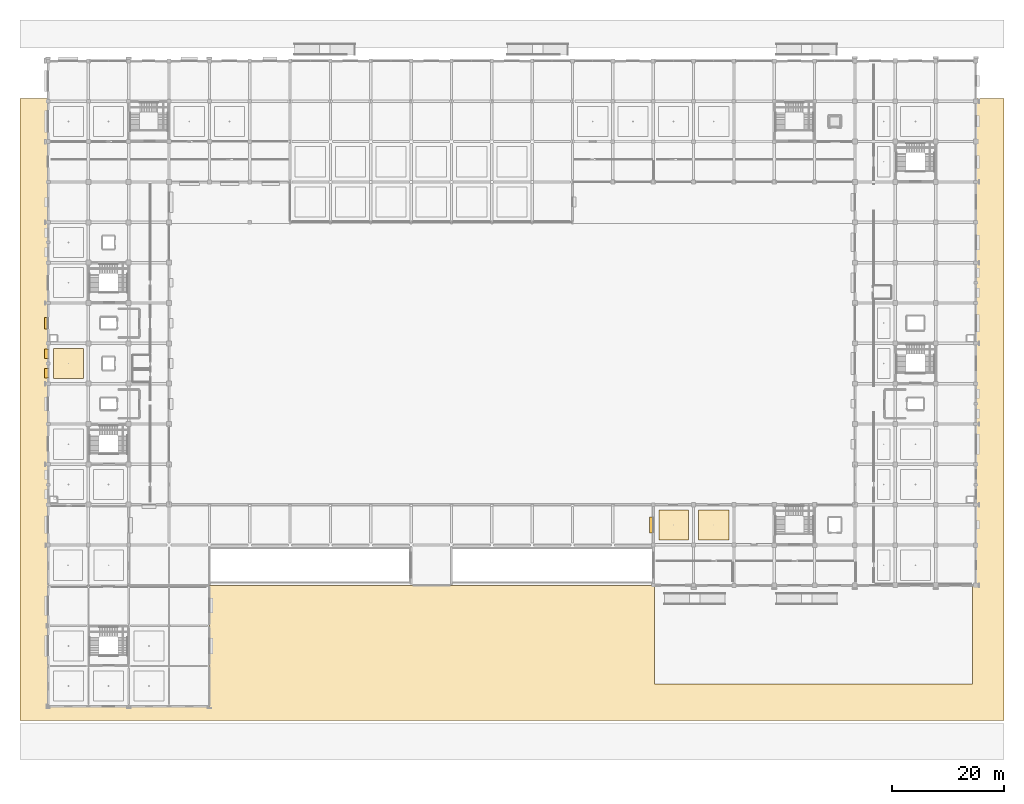
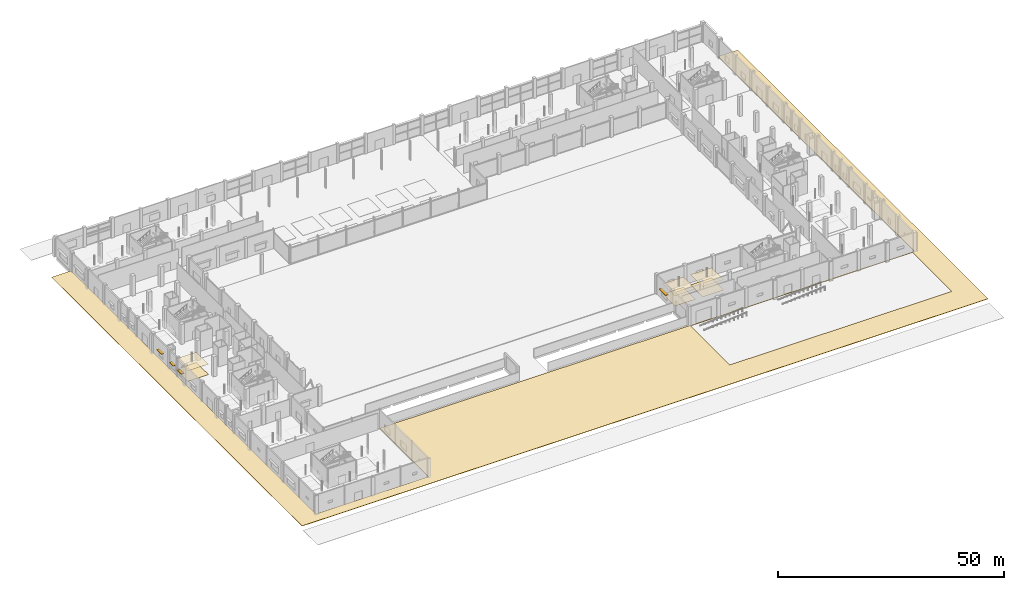
# One storey, part 85 of 90: 7 coverings, 4 shading devices.
"""IFC4 building model written with IfcOpenShell, lengths in metres."""

from ifc_helpers import new_model, si_unit, direction, frame, origin, origin_2d, place, context, subcontext, project, spatial, polyline, rectangle, outline, extrude, material, layer, layer_set, type_object, element, save


model = new_model("IFC4")

# Units and contexts
model_context = context("Model", 3, precision=1e-05, world=origin(), true_north=direction((0.0, 1.0)))
body_context = subcontext(model_context, "Body", "Model", "MODEL_VIEW")
ifc_project = project(units=[si_unit("LENGTHUNIT", "METRE"), si_unit("AREAUNIT", "SQUARE_METRE"), si_unit("VOLUMEUNIT", "CUBIC_METRE"), si_unit("PLANEANGLEUNIT", "RADIAN"), si_unit("MASSUNIT", "GRAM", prefix="KILO")], contexts=[model_context])

# Site, building, storey
site_placement = place(None, origin())
site = spatial("IfcSite", under=ifc_project, at=site_placement, CompositionType="ELEMENT")
building_placement = place(site_placement, origin())
building = spatial("IfcBuilding", under=site, at=building_placement, Name="Kangsadwip Square Police Headquarters", CompositionType="ELEMENT")
storey_placement = place(building_placement, origin())
storey = spatial("IfcBuildingStorey", under=building, at=storey_placement, Name="L00", CompositionType="ELEMENT", Elevation=0.0)

# Coverings
ifc_material_1 = material(Name="Flamed Indian granite stone exterior paving", Category="masonry")
ifc_layer_1 = layer(ifc_material_1, 0.080078125)
ifc_layer_set_1 = layer_set([ifc_layer_1], Name="Flamed Indian granite stone exterior paving")
covering_type_1 = type_object("IfcCoveringType", Name="GranitePrecinctPaving", PredefinedType="USERDEFINED", material=ifc_layer_set_1)
covering_1_placement = place(storey_placement, frame((0.0, 0.0, -0.10009765625)))
element("IfcCovering", 1, at=covering_1_placement, inside=storey, type_object=covering_type_1, Name="Raised Plinth Colonnade Perimeter Walk 1", ObjectType="PAVING", PredefinedType="USERDEFINED", context=body_context, shape_type="SweptSolid", body=[
    extrude(outline(polyline([(170.60009765625, -2.5), (-5.0, -2.5), (-5.0, 108.5), (0.0, 108.5), (0.0, 0.0), (28.800048828125, 0.0), (28.800048828125, 21.60009765625), (165.60009765625, 21.60009765625), (165.60009765625, 108.5), (170.60009765625, 108.5), (170.60009765625, -2.5)]), holes=[polyline([(108.199951171875, 4.0), (165.0, 4.0), (165.0, 21.39990234375), (108.199951171875, 21.39990234375), (108.199951171875, 4.0)])]), origin(), (0.0, 0.0, 1.0), 0.10009765625),
])
ifc_material_2 = material(Name="Seamless anti-static epoxy and polished Kota stone interior flooring", Category="masonry")
ifc_layer_2 = layer(ifc_material_2, 0.02001953125)
ifc_layer_set_2 = layer_set([ifc_layer_2], Name="Seamless anti-static epoxy and polished Kota stone interior flooring")
covering_type_2 = type_object("IfcCoveringType", Name="InteriorStoneEpoxyFloor", PredefinedType="FLOORING", material=ifc_layer_set_2)
covering_2_placement = place(storey_placement, origin())
element("IfcCovering", 2, at=covering_2_placement, inside=storey, type_object=covering_type_2, Name="Interior Floor Finish L00-027", PredefinedType="FLOORING", context=body_context, shape_type="SweptSolid", body=[
    extrude(outline(polyline([(1.0, 58.5), (6.300048828125, 58.5), (6.300048828125, 63.89990234375), (1.0, 63.89990234375), (1.0, 58.5)])), origin(), (0.0, 0.0, 1.0), 0.02001953125),
])
covering_3_placement = place(storey_placement, origin())
element("IfcCovering", 3, at=covering_3_placement, inside=storey, type_object=covering_type_2, Name="Interior Floor Finish L00-043", PredefinedType="FLOORING", context=body_context, shape_type="SweptSolid", body=[
    extrude(outline(polyline([(109.0, 29.699951171875), (114.300048828125, 29.699951171875), (114.300048828125, 35.10009765625), (109.0, 35.10009765625), (109.0, 29.699951171875)])), origin(), (0.0, 0.0, 1.0), 0.02001953125),
])
covering_4_placement = place(storey_placement, origin())
element("IfcCovering", 4, at=covering_4_placement, inside=storey, type_object=covering_type_2, Name="Interior Floor Finish L00-044", PredefinedType="FLOORING", context=body_context, shape_type="SweptSolid", body=[
    extrude(outline(polyline([(116.10009765625, 29.699951171875), (121.5, 29.699951171875), (121.5, 35.10009765625), (116.10009765625, 35.10009765625), (116.10009765625, 29.699951171875)])), origin(), (0.0, 0.0, 1.0), 0.02001953125),
])
ifc_material_3 = material(Name="Perforated mineral-fibre and acoustic baffle suspended ceiling", Category="wood")
ifc_layer_3 = layer(ifc_material_3, 0.02490234375)
ifc_layer_set_3 = layer_set([ifc_layer_3], Name="Perforated mineral-fibre and acoustic baffle suspended ceiling")
covering_type_3 = type_object("IfcCoveringType", Name="SuspendedAcousticCeiling", PredefinedType="CEILING", material=ifc_layer_set_3)
covering_5_placement = place(storey_placement, frame((0.0, 0.0, 2.800048828125)))
element("IfcCovering", 5, at=covering_5_placement, inside=storey, type_object=covering_type_3, Name="Suspended Acoustic Ceiling L00-027", PredefinedType="CEILING", context=body_context, shape_type="SweptSolid", body=[
    extrude(outline(polyline([(1.0, 58.5), (6.300048828125, 58.5), (6.300048828125, 63.89990234375), (1.0, 63.89990234375), (1.0, 58.5)])), origin(), (0.0, 0.0, 1.0), 0.02490234375),
])
covering_6_placement = place(storey_placement, frame((0.0, 0.0, 2.800048828125)))
element("IfcCovering", 6, at=covering_6_placement, inside=storey, type_object=covering_type_3, Name="Suspended Acoustic Ceiling L00-043", PredefinedType="CEILING", context=body_context, shape_type="SweptSolid", body=[
    extrude(outline(polyline([(109.0, 29.699951171875), (114.300048828125, 29.699951171875), (114.300048828125, 35.10009765625), (109.0, 35.10009765625), (109.0, 29.699951171875)])), origin(), (0.0, 0.0, 1.0), 0.02490234375),
])
covering_7_placement = place(storey_placement, frame((0.0, 0.0, 2.800048828125)))
element("IfcCovering", 7, at=covering_7_placement, inside=storey, type_object=covering_type_3, Name="Suspended Acoustic Ceiling L00-044", PredefinedType="CEILING", context=body_context, shape_type="SweptSolid", body=[
    extrude(outline(polyline([(116.10009765625, 29.699951171875), (121.5, 29.699951171875), (121.5, 35.10009765625), (116.10009765625, 35.10009765625), (116.10009765625, 29.699951171875)])), origin(), (0.0, 0.0, 1.0), 0.02490234375),
])

# Shading devices
ifc_material_4 = material(Name="Architectural terracotta and anodised aluminium AW-6061-T6", Category="aluminium")
shading_device_type = type_object("IfcShadingDeviceType", Name="TerracottaChhajjaAwning", PredefinedType="AWNING", material=ifc_material_4)
for number, where, z_axis, x_axis, name in (
    (8, (-0.300048828125, 59.4375, 2.46484375), (0.0, 0.0, 1.0), (0.0, 1.0, 0.0), "Terracotta Chhajja Hood CHJ-L00-0014"),
    (9, (-0.300048828125, 62.96240234375, 2.46484375), (0.0, 0.0, 1.0), (0.0, 1.0, 0.0), "Terracotta Chhajja Hood CHJ-L00-0015"),
):
    element("IfcShadingDevice", number, at=place(storey_placement, frame(where, z_axis=z_axis, x_axis=x_axis)), inside=storey, type_object=shading_device_type, Name=name, PredefinedType="AWNING", context=body_context, shape_type="SweptSolid", body=[
        extrude(rectangle(XDim=1.699951171875, YDim=0.719970703125, at=origin_2d()), origin(), (0.0, 0.0, 1.0), 0.090087890625),
    ])
shading_device_1_placement = place(storey_placement, frame((-0.300048828125, 68.39990234375, 2.46484375), z_axis=(0.0, 0.0, 1.0), x_axis=(0.0, 1.0, 0.0)))
element("IfcShadingDevice", 10, at=shading_device_1_placement, inside=storey, type_object=shading_device_type, Name="Terracotta Chhajja Hood CHJ-L00-0016", PredefinedType="AWNING", context=body_context, shape_type="SweptSolid", body=[
    extrude(rectangle(XDim=2.10009765625, YDim=0.719970703125, at=origin_2d()), origin(), (0.0, 0.0, 1.0), 0.090087890625),
])
shading_device_2_placement = place(storey_placement, frame((107.699951171875, 32.39990234375, 2.6650390625), z_axis=(0.0, 0.0, 1.0), x_axis=(0.0, 1.0, 0.0)))
element("IfcShadingDevice", 11, at=shading_device_2_placement, inside=storey, type_object=shading_device_type, Name="Terracotta Chhajja Hood CHJ-L00-0031", PredefinedType="AWNING", context=body_context, shape_type="SweptSolid", body=[
    extrude(rectangle(XDim=2.89990234375, YDim=0.719970703125, at=origin_2d()), origin(), (0.0, 0.0, 1.0), 0.090087890625),
])

save(model, "model.ifc")
